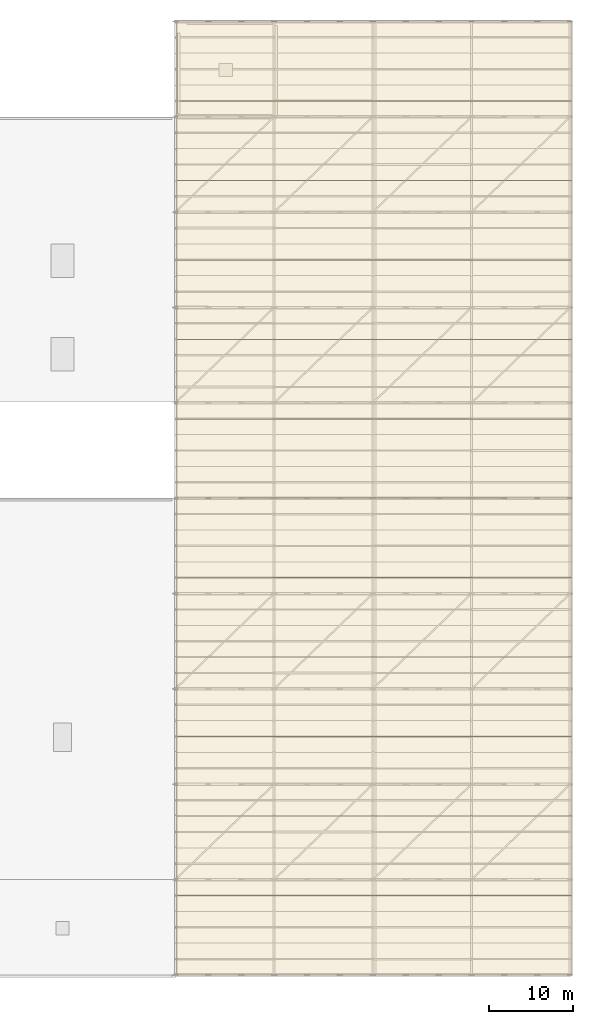
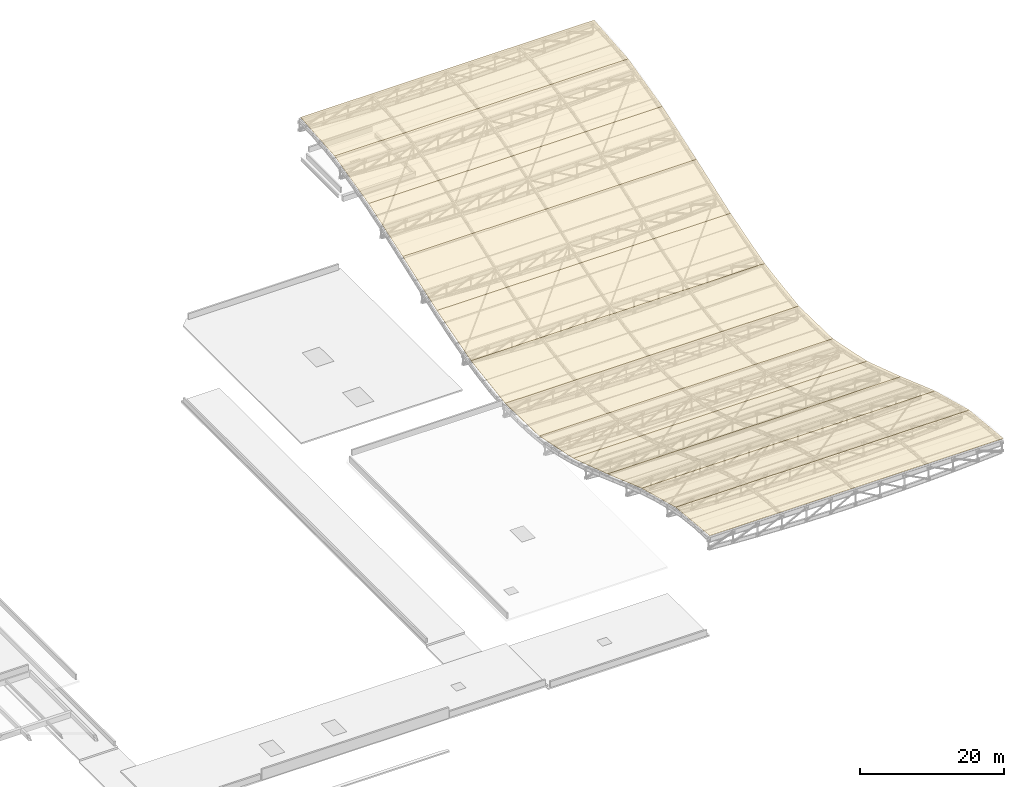
# One storey, part 65 of 65: 12 coverings, 6 elements without a shape of their own.
"""IFC4 building model written with IfcOpenShell, lengths in metres."""

from ifc_helpers import new_model, si_unit, direction, frame, origin, place, context, subcontext, project, spatial, polyline, outline, extrude, material, layer, layer_set, type_object, element, aggregate, save


model = new_model("IFC4")

# Units and contexts
model_context = context("Model", 3, precision=1e-05, world=origin(), true_north=direction((0.0, 1.0)))
body_context = subcontext(model_context, "Body", "Model", "MODEL_VIEW")
ifc_project = project(units=[si_unit("LENGTHUNIT", "METRE"), si_unit("AREAUNIT", "SQUARE_METRE"), si_unit("VOLUMEUNIT", "CUBIC_METRE"), si_unit("PLANEANGLEUNIT", "RADIAN"), si_unit("MASSUNIT", "GRAM", prefix="KILO"), si_unit("POWERUNIT", "WATT"), si_unit("THERMODYNAMICTEMPERATUREUNIT", "KELVIN")], contexts=[model_context])

# Site, building, storey
site_placement = place(None, origin())
site = spatial("IfcSite", under=ifc_project, at=site_placement, CompositionType="ELEMENT")
building_placement = place(site_placement, origin())
building = spatial("IfcBuilding", under=site, at=building_placement, Name="Kelmbourne Parkland Aquatics Centre", CompositionType="ELEMENT")
storey_placement = place(building_placement, frame((0.0, 0.0, 27.0)))
storey = spatial("IfcBuildingStorey", under=building, at=storey_placement, Name="RF", CompositionType="ELEMENT", Elevation=27.0)

# Roof, coverings
ifc_material = material(Name="Weathered copper standing-seam roofing", Category="steel")
ifc_layer_1 = layer(ifc_material, 0.080078125)
ifc_layer_set_1 = layer_set([ifc_layer_1], Name="Weathered copper standing-seam roofing")
roof_type = type_object("IfcRoofType", Name="RF-WAVE", PredefinedType="BARREL_ROOF", material=ifc_layer_set_1)
roof_1_placement = place(storey_placement, origin())
roof_1 = element("IfcRoof", 1, at=roof_1_placement, inside=storey, type_object=roof_type, Name="Natatorium standing-seam copper wave roof zone 1", PredefinedType="BARREL_ROOF")
ifc_layer_2 = layer(ifc_material, 0.0400390625)
ifc_layer_set_2 = layer_set([ifc_layer_2], Name="Weathered copper standing-seam roofing")
covering_type = type_object("IfcCoveringType", Name="COV-COPPER", PredefinedType="ROOFING", material=ifc_layer_set_2)
covering_1_placement = place(storey_placement, frame((128.199951171875, 0.800048828125, -0.159912109375), z_axis=(0.0, 0.097953879491, 0.995190955291), x_axis=(1.0, 0.0, 0.0)))
covering_1 = element("IfcCovering", 2, at=covering_1_placement, type_object=covering_type, Name="Standing-seam copper roof covering 01", PredefinedType="ROOFING", context=body_context, shape_type="SweptSolid", body=[
    extrude(outline(polyline([(0.0, 0.0), (47.199951171875, 0.0), (47.199951171875, 9.545906692072037), (0.0, 9.545906692072037), (0.0, 0.0)])), origin(), (0.0, 0.0, -1.0), 0.0400390625),
])
covering_2_placement = place(storey_placement, frame((128.199951171875, 10.300048828125, -1.094970703125), z_axis=(0.0, 0.256235298332, 0.966614438072), x_axis=(1.0, 0.0, 0.0)))
covering_2 = element("IfcCovering", 3, at=covering_2_placement, type_object=covering_type, Name="Standing-seam copper roof covering 02", PredefinedType="ROOFING", context=body_context, shape_type="SweptSolid", body=[
    extrude(outline(polyline([(0.0, 0.0), (47.199951171875, 0.0), (47.199951171875, 9.828117215952497), (0.0, 9.828117215952497), (0.0, 0.0)])), origin(), (0.0, 0.0, -1.0), 0.0400390625),
])
aggregate(roof_1, [covering_1, covering_2])

roof_2_placement = place(storey_placement, origin())
roof_2 = element("IfcRoof", 4, at=roof_2_placement, inside=storey, type_object=roof_type, Name="Natatorium standing-seam copper wave roof zone 2", PredefinedType="BARREL_ROOF")
covering_3_placement = place(storey_placement, frame((128.199951171875, 19.800048828125, -3.61328125), z_axis=(0.0, 0.3307781833, 0.943708532044), x_axis=(1.0, 0.0, 0.0)))
covering_3 = element("IfcCovering", 5, at=covering_3_placement, type_object=covering_type, Name="Standing-seam copper roof covering 03", PredefinedType="ROOFING", context=body_context, shape_type="SweptSolid", body=[
    extrude(outline(polyline([(0.0, 0.0), (47.199951171875, 0.0), (47.199951171875, 10.066667490460718), (0.0, 10.066667490460718), (0.0, 0.0)])), origin(), (0.0, 0.0, -1.0), 0.0400390625),
])
covering_4_placement = place(storey_placement, frame((128.199951171875, 29.300048828125, -6.943115234375), z_axis=(0.0, 0.312034917437, 0.950070634374), x_axis=(1.0, 0.0, 0.0)))
covering_4 = element("IfcCovering", 6, at=covering_4_placement, type_object=covering_type, Name="Standing-seam copper roof covering 04", PredefinedType="ROOFING", context=body_context, shape_type="SweptSolid", body=[
    extrude(outline(polyline([(0.0, 0.0), (47.199951171875, 0.0), (47.199951171875, 9.999256535549675), (0.0, 9.999256535549675), (0.0, 0.0)])), origin(), (0.0, 0.0, -1.0), 0.0400390625),
])
aggregate(roof_2, [covering_3, covering_4])

roof_3_placement = place(storey_placement, origin())
roof_3 = element("IfcRoof", 7, at=roof_3_placement, inside=storey, type_object=roof_type, Name="Natatorium standing-seam copper wave roof zone 3", PredefinedType="BARREL_ROOF")
covering_5_placement = place(storey_placement, frame((128.199951171875, 38.800048828125, -10.063232421875), z_axis=(0.0, 0.201500926024, 0.979488323979), x_axis=(1.0, 0.0, 0.0)))
covering_5 = element("IfcCovering", 8, at=covering_5_placement, type_object=covering_type, Name="Standing-seam copper roof covering 05", PredefinedType="ROOFING", context=body_context, shape_type="SweptSolid", body=[
    extrude(outline(polyline([(0.0, 0.0), (47.199951171875, 0.0), (47.199951171875, 9.69894154675257), (0.0, 9.69894154675257), (0.0, 0.0)])), origin(), (0.0, 0.0, -1.0), 0.0400390625),
])
covering_6_placement = place(storey_placement, frame((128.199951171875, 48.300048828125, -12.017578125), z_axis=(0.0, 0.021684866832, 0.999764855629), x_axis=(1.0, 0.0, 0.0)))
covering_6 = element("IfcCovering", 9, at=covering_6_placement, type_object=covering_type, Name="Standing-seam copper roof covering 06", PredefinedType="ROOFING", context=body_context, shape_type="SweptSolid", body=[
    extrude(outline(polyline([(0.0, 0.0), (47.199951171875, 0.0), (47.199951171875, 9.502234396932161), (0.0, 9.502234396932161), (0.0, 0.0)])), origin(), (0.0, 0.0, -1.0), 0.0400390625),
])
aggregate(roof_3, [covering_5, covering_6])

roof_4_placement = place(storey_placement, origin())
roof_4 = element("IfcRoof", 10, at=roof_4_placement, inside=storey, type_object=roof_type, Name="Natatorium standing-seam copper wave roof zone 4", PredefinedType="BARREL_ROOF")
covering_7_placement = place(storey_placement, frame((128.199951171875, 57.800048828125, -12.2236328125), z_axis=(0.0, -0.153459606083, 0.988154921711), x_axis=(1.0, 0.0, 0.0)))
covering_7 = element("IfcCovering", 11, at=covering_7_placement, type_object=covering_type, Name="Standing-seam copper roof covering 07", PredefinedType="ROOFING", context=body_context, shape_type="SweptSolid", body=[
    extrude(outline(polyline([(0.0, 0.0), (47.199951171875, 0.0), (47.199951171875, 9.613877127236771), (0.0, 9.613877127236771), (0.0, 0.0)])), origin(), (0.0, 0.0, -1.0), 0.0400390625),
])
covering_8_placement = place(storey_placement, frame((128.199951171875, 67.300048828125, -10.748291015625), z_axis=(0.0, -0.280037894082, 0.959988946748), x_axis=(1.0, 0.0, 0.0)))
covering_8 = element("IfcCovering", 12, at=covering_8_placement, type_object=covering_type, Name="Standing-seam copper roof covering 08", PredefinedType="ROOFING", context=body_context, shape_type="SweptSolid", body=[
    extrude(outline(polyline([(0.0, 0.0), (47.199951171875, 0.0), (47.199951171875, 9.895947273334615), (0.0, 9.895947273334615), (0.0, 0.0)])), origin(), (0.0, 0.0, -1.0), 0.0400390625),
])
aggregate(roof_4, [covering_7, covering_8])

roof_5_placement = place(storey_placement, origin())
roof_5 = element("IfcRoof", 13, at=roof_5_placement, inside=storey, type_object=roof_type, Name="Natatorium standing-seam copper wave roof zone 5", PredefinedType="BARREL_ROOF")
covering_9_placement = place(storey_placement, frame((128.199951171875, 76.800048828125, -7.97705078125), z_axis=(0.0, -0.338091627165, 0.941113198101), x_axis=(1.0, 0.0, 0.0)))
covering_9 = element("IfcCovering", 14, at=covering_9_placement, type_object=covering_type, Name="Standing-seam copper roof covering 09", PredefinedType="ROOFING", context=body_context, shape_type="SweptSolid", body=[
    extrude(outline(polyline([(0.0, 0.0), (47.199951171875, 0.0), (47.199951171875, 10.09442861832689), (0.0, 10.09442861832689), (0.0, 0.0)])), origin(), (0.0, 0.0, -1.0), 0.0400390625),
])
covering_10_placement = place(storey_placement, frame((128.199951171875, 86.300048828125, -4.564208984375), z_axis=(0.0, -0.323578833351, 0.946201214651), x_axis=(1.0, 0.0, 0.0)))
covering_10 = element("IfcCovering", 15, at=covering_10_placement, type_object=covering_type, Name="Standing-seam copper roof covering 10", PredefinedType="ROOFING", context=body_context, shape_type="SweptSolid", body=[
    extrude(outline(polyline([(0.0, 0.0), (47.199951171875, 0.0), (47.199951171875, 10.040147753883089), (0.0, 10.040147753883089), (0.0, 0.0)])), origin(), (0.0, 0.0, -1.0), 0.0400390625),
])
aggregate(roof_5, [covering_9, covering_10])

roof_6_placement = place(storey_placement, origin())
roof_6 = element("IfcRoof", 16, at=roof_6_placement, inside=storey, type_object=roof_type, Name="Natatorium standing-seam copper wave roof zone 6", PredefinedType="BARREL_ROOF")
covering_11_placement = place(storey_placement, frame((128.199951171875, 95.800048828125, -1.3154296875), z_axis=(0.0, -0.236962502561, 0.97151879672), x_axis=(1.0, 0.0, 0.0)))
covering_11 = element("IfcCovering", 17, at=covering_11_placement, type_object=covering_type, Name="Standing-seam copper roof covering 11", PredefinedType="ROOFING", context=body_context, shape_type="SweptSolid", body=[
    extrude(outline(polyline([(0.0, 0.0), (47.199951171875, 0.0), (47.199951171875, 9.778503547307157), (0.0, 9.778503547307157), (0.0, 0.0)])), origin(), (0.0, 0.0, -1.0), 0.0400390625),
])
covering_12_placement = place(storey_placement, frame((128.199951171875, 105.300048828125, 1.001708984375), z_axis=(0.0, -0.087908752496, 0.996128531483), x_axis=(1.0, 0.0, 0.0)))
covering_12 = element("IfcCovering", 18, at=covering_12_placement, type_object=covering_type, Name="Standing-seam copper roof covering 12", PredefinedType="ROOFING", context=body_context, shape_type="SweptSolid", body=[
    extrude(outline(polyline([(0.0, 0.0), (47.199951171875, 0.0), (47.199951171875, 9.536921892856466), (0.0, 9.536921892856466), (0.0, 0.0)])), origin(), (0.0, 0.0, -1.0), 0.0400390625),
])
aggregate(roof_6, [covering_11, covering_12])

save(model, "model.ifc")
